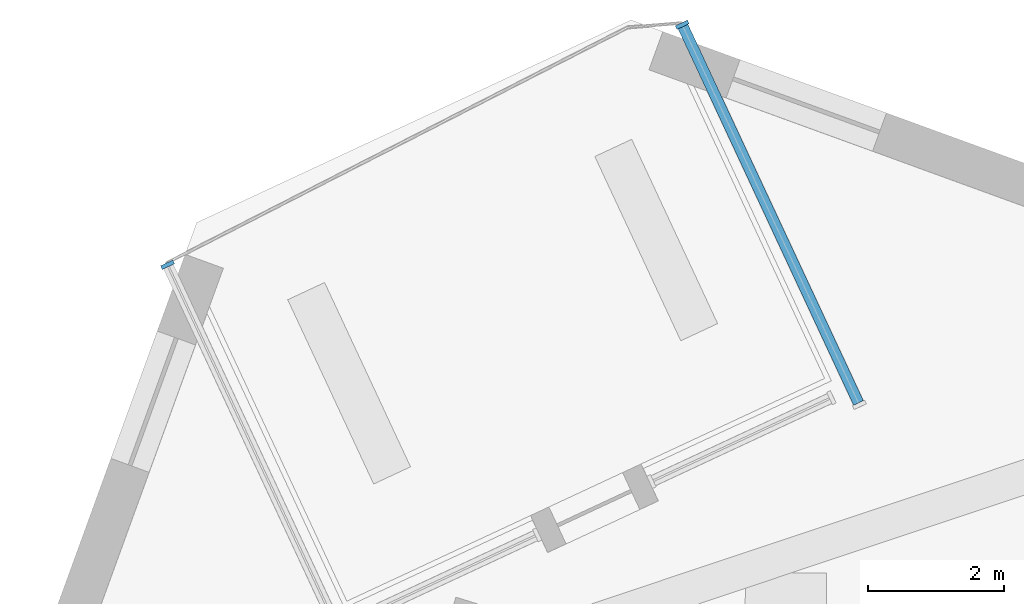
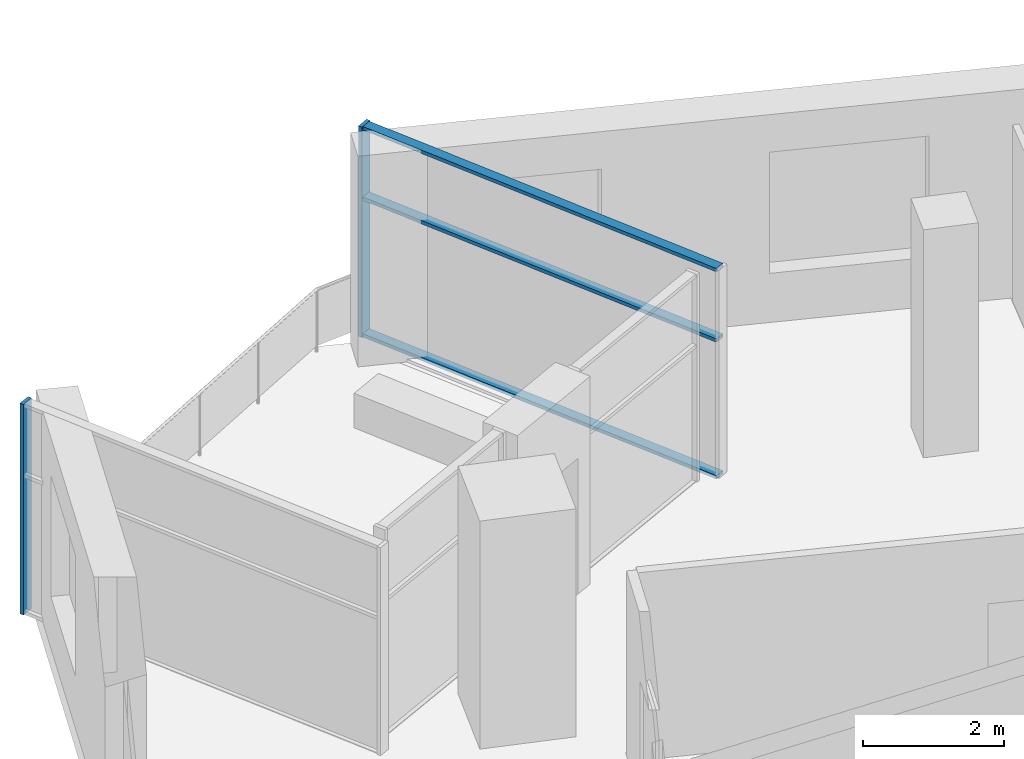
# One storey, part 4 of 13: 5 members, 2 elements without a shape of their own.
"""IFC4 building model written with IfcOpenShell, lengths in metres."""

from ifc_helpers import new_model, si_unit, direction, frame, origin, origin_2d, place, context, subcontext, project, spatial, rectangle, extrude, material, material_profile, profile_set, type_object, element, aggregate, save


model = new_model("IFC4")

# Units and contexts
model_context = context("Model", 3, precision=1e-05, world=origin(), true_north=direction((0.0, 1.0)))
body_context = subcontext(model_context, "Body", "Model", "MODEL_VIEW")
ifc_project = project(units=[si_unit("LENGTHUNIT", "METRE"), si_unit("AREAUNIT", "SQUARE_METRE"), si_unit("VOLUMEUNIT", "CUBIC_METRE"), si_unit("PLANEANGLEUNIT", "RADIAN"), si_unit("MASSUNIT", "GRAM", prefix="KILO")], contexts=[model_context])

# Site, building, storey
site_placement = place(None, origin())
site = spatial("IfcSite", under=ifc_project, at=site_placement, CompositionType="ELEMENT")
building_placement = place(site_placement, origin())
building = spatial("IfcBuilding", under=site, at=building_placement, Name="Dilmun Exchange Tower", CompositionType="ELEMENT")
storey_placement = place(building_placement, frame((0.0, 0.0, 304.5)))
storey = spatial("IfcBuildingStorey", under=building, at=storey_placement, Name="L72", CompositionType="ELEMENT", Elevation=304.5)

# Curtain wall, member
ifc_material_1 = material(Name="Anodised aluminium and clear glass", Category="aluminium")
curtain_wall_type = type_object("IfcCurtainWallType", Name="Garden corner glazing", PredefinedType="NOTDEFINED", material=ifc_material_1)
curtain_wall_1_placement = place(storey_placement, origin())
curtain_wall_1 = element("IfcCurtainWall", 1, at=curtain_wall_1_placement, inside=storey, type_object=curtain_wall_type, Name="Garden corner glazing run GC1.1", PredefinedType="NOTDEFINED")
ifc_material_2 = material(Name="Anodised aluminium", Category="aluminium")
ifc_material_profile_1 = material_profile(ifc_material_2, rectangle(XDim=0.199951171875, YDim=0.06005859375, at=origin_2d()), Name="AL 60x200")
ifc_profile_set_1 = profile_set([ifc_material_profile_1], Name="Anodised aluminium")
member_type_1 = type_object("IfcMemberType", Name="Garden corner glazing mullion 60 x 200", PredefinedType="MULLION", material=ifc_profile_set_1)
member_1_placement = place(storey_placement, frame((-9.658203125, 35.643798828125, 0.0), z_axis=(0.0, 0.0, 1.0), x_axis=(0.906305390357, 0.4226234014, 0.0)))
member_1 = element("IfcMember", 2, at=member_1_placement, type_object=member_type_1, Name="GC1.1 mullion 1", PredefinedType="MULLION", context=body_context, shape_type="SweptSolid", body=[
    extrude(rectangle(XDim=0.199951171875, YDim=0.06005859375, at=origin_2d()), origin(), (0.0, 0.0, 1.0), 3.64990234375),
])

curtain_wall_2_placement = place(storey_placement, origin())
curtain_wall_2 = element("IfcCurtainWall", 3, at=curtain_wall_2_placement, inside=storey, type_object=curtain_wall_type, Name="Garden corner glazing run GC3.1", PredefinedType="NOTDEFINED")
member_2_placement = place(storey_placement, frame((-17.25146484375, 32.10302734375, 0.0), z_axis=(0.0, 0.0, 1.0), x_axis=(-0.906305390357, -0.4226234014, 0.0)))
member_2 = element("IfcMember", 4, at=member_2_placement, type_object=member_type_1, Name="GC3.1 mullion 2", PredefinedType="MULLION", context=body_context, shape_type="SweptSolid", body=[
    extrude(rectangle(XDim=0.199951171875, YDim=0.06005859375, at=origin_2d()), origin(), (0.0, 0.0, 1.0), 3.64990234375),
])
aggregate(curtain_wall_2, [member_2])

# Member
ifc_material_profile_2 = material_profile(ifc_material_2, rectangle(XDim=0.159912109375, YDim=0.06005859375, at=origin_2d()), Name="AL 60x160")
ifc_profile_set_2 = profile_set([ifc_material_profile_2], Name="Anodised aluminium")
member_type_2 = type_object("IfcMemberType", Name="Garden corner glazing transom 60 x 160", PredefinedType="USERDEFINED", material=ifc_profile_set_2)
member_3_placement = place(storey_placement, frame((-9.6455078125, 35.61669921875, 0.030029296875), z_axis=(0.422610567282, -0.906311374982, 0.0), x_axis=(0.906311374982, 0.422610567282, 0.0)))
member_3 = element("IfcMember", 5, at=member_3_placement, type_object=member_type_2, Name="GC1.1 transom 1.1", ObjectType="TRANSOM", PredefinedType="USERDEFINED", context=body_context, shape_type="SweptSolid", body=[
    extrude(rectangle(XDim=0.159912109375, YDim=0.06005859375, at=origin_2d()), origin(), (0.0, 0.0, 1.0), 6.12646484375),
])

member_4_placement = place(storey_placement, frame((-9.6455078125, 35.61669921875, 2.39990234375), z_axis=(0.422610567282, -0.906311374982, 0.0), x_axis=(0.906311374982, 0.422610567282, 0.0)))
member_4 = element("IfcMember", 6, at=member_4_placement, type_object=member_type_2, Name="GC1.1 transom 1.2", ObjectType="TRANSOM", PredefinedType="USERDEFINED", context=body_context, shape_type="SweptSolid", body=[
    extrude(rectangle(XDim=0.159912109375, YDim=0.06005859375, at=origin_2d()), origin(), (0.0, 0.0, 1.0), 6.12646484375),
])

member_5_placement = place(storey_placement, frame((-9.6455078125, 35.61669921875, 3.6201171875), z_axis=(0.422610567282, -0.906311374982, 0.0), x_axis=(0.906311374982, 0.422610567282, 0.0)))
member_5 = element("IfcMember", 7, at=member_5_placement, type_object=member_type_2, Name="GC1.1 transom 1.3", ObjectType="TRANSOM", PredefinedType="USERDEFINED", context=body_context, shape_type="SweptSolid", body=[
    extrude(rectangle(XDim=0.159912109375, YDim=0.06005859375, at=origin_2d()), origin(), (0.0, 0.0, 1.0), 6.12646484375),
])

aggregate(curtain_wall_1, [member_1, member_3, member_4, member_5])

save(model, "model.ifc")
